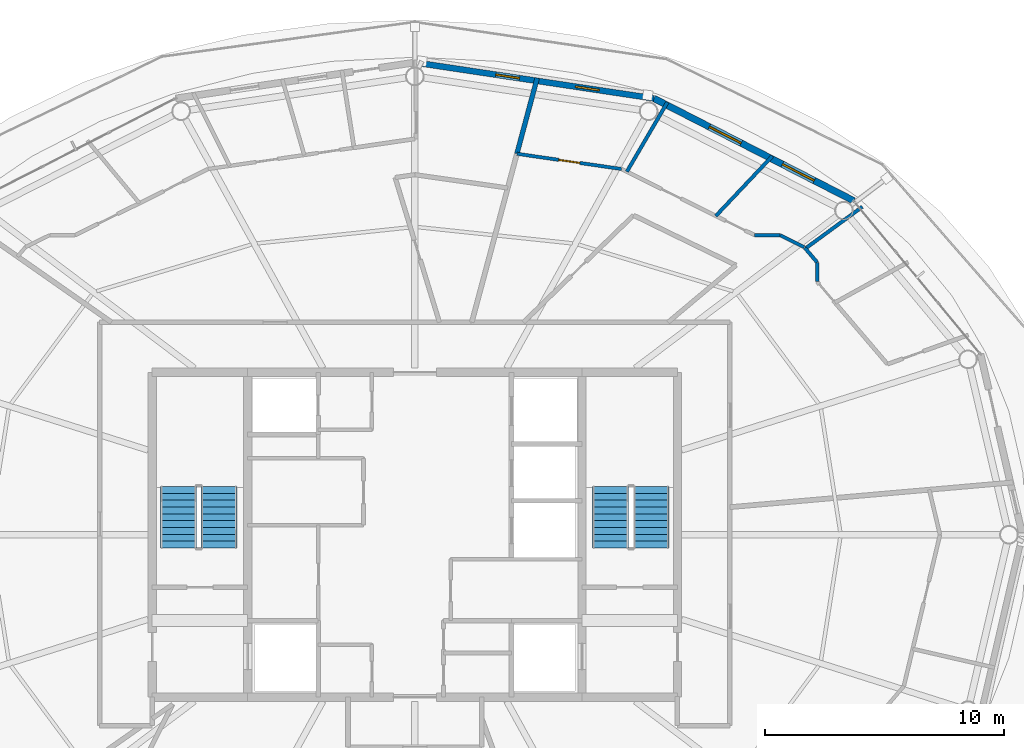
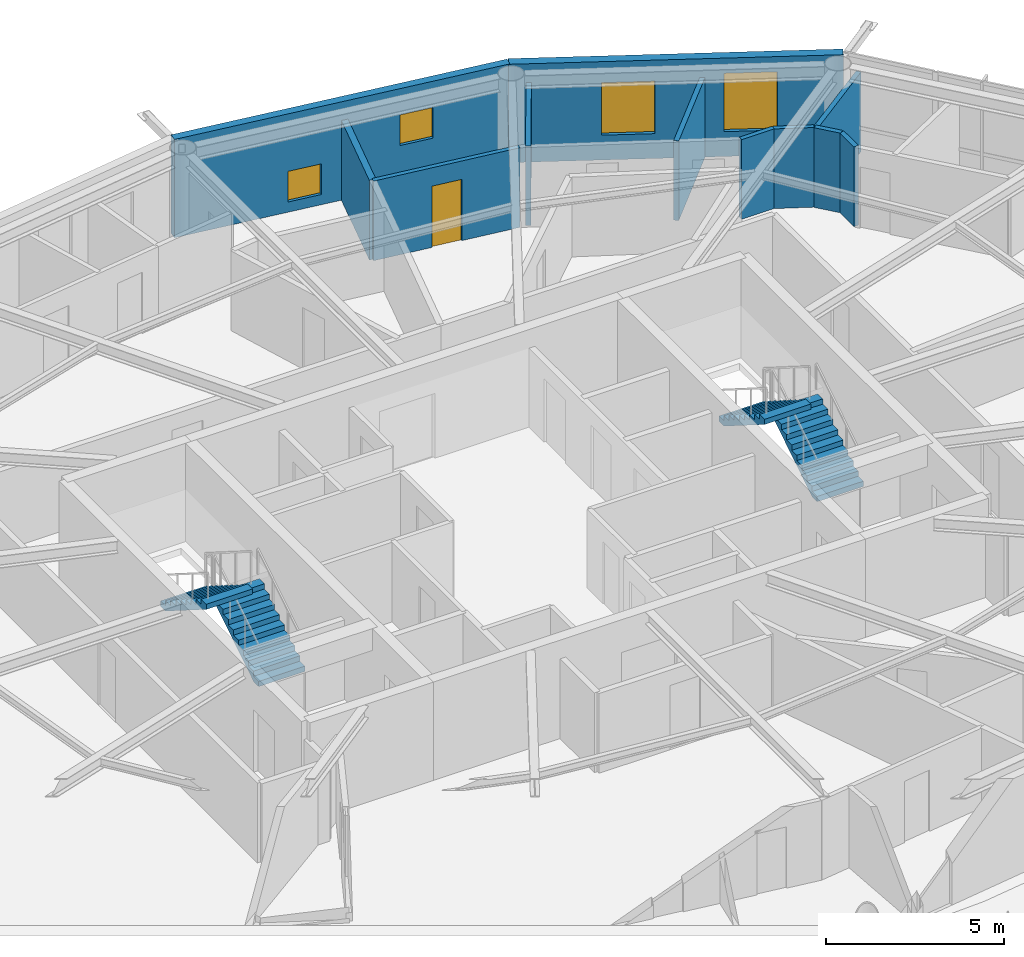
# One storey, part 20 of 23: 11 walls, 4 stair flights, 4 windows, 1 door, 5 openings, 2 elements without a shape of their own.
"""IFC4 building model written with IfcOpenShell, lengths in metres."""

from ifc_helpers import new_model, si_unit, direction, frame, frame_2d, origin, place, context, subcontext, project, spatial, polyline, rectangle, outline, extrude, material, layer, layer_set, type_object, element, fill, aggregate, save


model = new_model("IFC4")

# Units and contexts
model_context = context("Model", 3, precision=1e-05, world=origin(), true_north=direction((0.0, 1.0)))
body_context = subcontext(model_context, "Body", "Model", "MODEL_VIEW")
ifc_project = project(units=[si_unit("LENGTHUNIT", "METRE"), si_unit("AREAUNIT", "SQUARE_METRE"), si_unit("VOLUMEUNIT", "CUBIC_METRE"), si_unit("PLANEANGLEUNIT", "RADIAN"), si_unit("MASSUNIT", "GRAM", prefix="KILO")], contexts=[model_context])

# Site, building, storey
site_placement = place(None, origin())
site = spatial("IfcSite", under=ifc_project, at=site_placement, CompositionType="ELEMENT")
building_placement = place(site_placement, origin())
building = spatial("IfcBuilding", under=site, at=building_placement, Name="Sarneth Arch Tower", CompositionType="ELEMENT")
storey_placement = place(building_placement, frame((0.0, 0.0, 280.199951171875)))
storey = spatial("IfcBuildingStorey", under=building, at=storey_placement, Name="L72", CompositionType="ELEMENT", Elevation=280.199951171875)

# Wall, openings, windows
ifc_material_1 = material(Name="Extruded terracotta rainscreen on Concrete C40/50 backing", Category="masonry")
ifc_layer_1 = layer(ifc_material_1, 0.25)
ifc_layer_set_1 = layer_set([ifc_layer_1], Name="Extruded terracotta rainscreen on Concrete C40/50 backing")
wall_type_1 = type_object("IfcWallType", Name="WALL-EXT-SPAND-250", PredefinedType="SOLIDWALL", material=ifc_layer_set_1)
wall_1_placement = place(storey_placement, frame((58.0126953125, 60.2744140625, 0.0), z_axis=(0.0, 0.0, 1.0), x_axis=(-0.988882522213, 0.148698881169, 0.0)))
wall_1 = element("IfcWall", 1, at=wall_1_placement, inside=storey, type_object=wall_type_1, Name="L72 Terracotta perimeter wall 04", PredefinedType="SOLIDWALL", context=body_context, shape_type="SweptSolid", body=[
    extrude(rectangle(XDim=10.125244140625, YDim=0.25, at=frame_2d((5.0625, 0.0))), origin(), (0.0, 0.0, 1.0), 3.3701171875),
])
opening_1_placement = place(wall_1_placement, frame((2.319580078125, 0.0, 1.419921875)))
opening_1 = element("IfcOpeningElement", 2, at=opening_1_placement, cuts=wall_1, Name="Opening W-14", PredefinedType="OPENING", context=body_context, shape_type="SweptSolid", body=[
    extrude(rectangle(XDim=1.0, YDim=1.050048828125, at=frame_2d((0.5, 0.52490234375))), frame((0.0, 0.135009765625, 0.0), z_axis=(0.0, -1.0, 0.0), x_axis=(1.0, 0.0, 0.0)), (0.0, 0.0, 1.0), 0.27001953125),
])
opening_2_placement = place(wall_1_placement, frame((5.69189453125, 0.0, 0.35009765625)))
opening_2 = element("IfcOpeningElement", 3, at=opening_2_placement, cuts=wall_1, Name="Opening W-14", PredefinedType="OPENING", context=body_context, shape_type="SweptSolid", body=[
    extrude(rectangle(XDim=1.0, YDim=1.050048828125, at=frame_2d((0.5, 0.52490234375))), frame((0.0, 0.135009765625, 0.0), z_axis=(0.0, -1.0, 0.0), x_axis=(1.0, 0.0, 0.0)), (0.0, 0.0, 1.0), 0.27001953125),
])
ifc_material_2 = material(Name="Thermally broken Aluminium 6063-T6 and low-e laminated IGU", Category="aluminium")
window_type_1 = type_object("IfcWindowType", Name="WIN-TWR-1000x1050", PartitioningType="SINGLE_PANEL", PredefinedType="WINDOW", material=ifc_material_2)
window_1_placement = place(opening_1_placement, origin())
window_1 = element("IfcWindow", 4, at=window_1_placement, inside=storey, type_object=window_type_1, Name="L72 Dwelling bedroom window 01", OverallHeight=1.050048828125, OverallWidth=1.0, PartitioningType="SINGLE_PANEL", PredefinedType="WINDOW", context=body_context, shape_type="SweptSolid", body=[
    extrude(rectangle(XDim=1.0, YDim=1.050048828125, at=frame_2d((0.5, 0.52490234375))), frame((0.0, 0.030029296875, 0.0), z_axis=(0.0, -1.0, 0.0), x_axis=(1.0, 0.0, 0.0)), (0.0, 0.0, 1.0), 0.06005859375),
])
fill(opening_1, window_1)
window_2_placement = place(opening_2_placement, origin())
window_2 = element("IfcWindow", 5, at=window_2_placement, inside=storey, type_object=window_type_1, Name="L72 Dwelling bedroom window 02", OverallHeight=1.050048828125, OverallWidth=1.0, PartitioningType="SINGLE_PANEL", PredefinedType="WINDOW", context=body_context, shape_type="SweptSolid", body=[
    extrude(rectangle(XDim=1.0, YDim=1.050048828125, at=frame_2d((0.5, 0.52490234375))), frame((0.0, 0.030029296875, 0.0), z_axis=(0.0, -1.0, 0.0), x_axis=(1.0, 0.0, 0.0)), (0.0, 0.0, 1.0), 0.06005859375),
])
fill(opening_2, window_2)

ifc_material_3 = material(Name="Extruded terracotta rainscreen on Concrete C40/50 backing", Category="masonry")
ifc_layer_2 = layer(ifc_material_3, 0.280029296875)
ifc_layer_set_2 = layer_set([ifc_layer_2], Name="Extruded terracotta rainscreen on Concrete C40/50 backing")
wall_type_2 = type_object("IfcWallType", Name="WALL-EXT-TERRA-280", PredefinedType="SOLIDWALL", material=ifc_layer_set_2)
wall_2_placement = place(storey_placement, frame((66.382568359375, 55.986572265625, 0.0), z_axis=(0.0, 0.0, 1.0), x_axis=(-0.890007394051, 0.455946091699, 0.0)))
wall_2 = element("IfcWall", 6, at=wall_2_placement, inside=storey, type_object=wall_type_2, Name="L72 Terracotta perimeter wall 03", PredefinedType="SOLIDWALL", context=body_context, shape_type="SweptSolid", body=[
    extrude(rectangle(XDim=9.404296875, YDim=0.280029296875, at=frame_2d((4.7021484375, 0.0))), origin(), (0.0, 0.0, 1.0), 3.3701171875),
])
opening_3_placement = place(wall_2_placement, frame((1.856201171875, 0.0, 0.85009765625)))
opening_3 = element("IfcOpeningElement", 7, at=opening_3_placement, cuts=wall_2, Name="Opening W-06", PredefinedType="OPENING", context=body_context, shape_type="SweptSolid", body=[
    extrude(rectangle(XDim=1.5, YDim=2.0, at=frame_2d((0.75, 1.0))), frame((0.0, 0.14990234375, 0.0), z_axis=(0.0, -1.0, 0.0), x_axis=(1.0, 0.0, 0.0)), (0.0, 0.0, 1.0), 0.300048828125),
])
opening_4_placement = place(wall_2_placement, frame((5.297119140625, 0.0, 0.85009765625)))
opening_4 = element("IfcOpeningElement", 8, at=opening_4_placement, cuts=wall_2, Name="Opening W-07", PredefinedType="OPENING", context=body_context, shape_type="SweptSolid", body=[
    extrude(rectangle(XDim=1.5, YDim=1.800048828125, at=frame_2d((0.75, 0.89990234375))), frame((0.0, 0.14990234375, 0.0), z_axis=(0.0, -1.0, 0.0), x_axis=(1.0, 0.0, 0.0)), (0.0, 0.0, 1.0), 0.300048828125),
])
ifc_material_4 = material(Name="Thermally broken Aluminium 6063-T6 and low-e laminated IGU", Category="aluminium")
window_type_2 = type_object("IfcWindowType", Name="WIN-TWR-1500x1800", PartitioningType="SINGLE_PANEL", PredefinedType="WINDOW", material=ifc_material_4)
window_3_placement = place(opening_4_placement, origin())
window_3 = element("IfcWindow", 9, at=window_3_placement, inside=storey, type_object=window_type_2, Name="L72 Exterior window 03B", OverallHeight=1.800048828125, OverallWidth=1.5, PartitioningType="SINGLE_PANEL", PredefinedType="WINDOW", context=body_context, shape_type="SweptSolid", body=[
    extrude(rectangle(XDim=1.5, YDim=1.800048828125, at=frame_2d((0.75, 0.89990234375))), frame((0.0, 0.030029296875, 0.0), z_axis=(0.0, -1.0, 0.0), x_axis=(1.0, 0.0, 0.0)), (0.0, 0.0, 1.0), 0.06005859375),
])
fill(opening_4, window_3)
ifc_material_5 = material(Name="Thermally broken Aluminium 6063-T6 and low-e laminated IGU", Category="aluminium")
window_type_3 = type_object("IfcWindowType", Name="WIN-TWR-1500x2000", PartitioningType="SINGLE_PANEL", PredefinedType="WINDOW", material=ifc_material_5)
window_4_placement = place(opening_3_placement, origin())
window_4 = element("IfcWindow", 10, at=window_4_placement, inside=storey, type_object=window_type_3, Name="L72 Exterior window 03A", OverallHeight=2.0, OverallWidth=1.5, PartitioningType="SINGLE_PANEL", PredefinedType="WINDOW", context=body_context, shape_type="SweptSolid", body=[
    extrude(rectangle(XDim=1.5, YDim=2.0, at=frame_2d((0.75, 1.0))), frame((0.0, 0.030029296875, 0.0), z_axis=(0.0, -1.0, 0.0), x_axis=(1.0, 0.0, 0.0)), (0.0, 0.0, 1.0), 0.06005859375),
])
fill(opening_3, window_4)

# Wall, opening, door
ifc_material_6 = material(Name="Apartment internal stud partition", Category="gypsum")
ifc_layer_3 = layer(ifc_material_6, 0.139892578125)
ifc_layer_set_3 = layer_set([ifc_layer_3], Name="Apartment internal stud partition")
wall_type_3 = type_object("IfcWallType", Name="WALL-PART-140", PredefinedType="PARTITIONING", material=ifc_layer_set_3)
wall_3_placement = place(storey_placement, frame((56.65478515625, 57.31787109375, 0.0), z_axis=(0.0, 0.0, 1.0), x_axis=(-0.989532652843, 0.144309143708, 0.0)))
wall_3 = element("IfcWall", 11, at=wall_3_placement, inside=storey, type_object=wall_type_3, Name="L72 Interior partition W-L72-TP-032", PredefinedType="PARTITIONING", context=body_context, shape_type="SweptSolid", body=[
    extrude(rectangle(XDim=4.42578125, YDim=0.139892578125, at=frame_2d((2.212890625, 0.0))), origin(), (0.0, 0.0, 1.0), 2.72998046875),
])
opening_5_placement = place(wall_3_placement, frame((1.762939453125, 0.0, 0.0)))
opening_5 = element("IfcOpeningElement", 12, at=opening_5_placement, cuts=wall_3, Name="Opening ID-01", PredefinedType="OPENING", context=body_context, shape_type="SweptSolid", body=[
    extrude(rectangle(XDim=0.89990234375, YDim=2.10009765625, at=frame_2d((0.449951171875, 1.050048828125))), frame((0.0, 0.079833984375, 0.0), z_axis=(0.0, -1.0, 0.0), x_axis=(1.0, 0.0, 0.0)), (0.0, 0.0, 1.0), 0.159912109375),
])
ifc_material_7 = material(Name="Engineered hardwood flush door", Category="wood")
door_type = type_object("IfcDoorType", Name="DR-INT-900", OperationType="SINGLE_SWING_LEFT", PredefinedType="DOOR", material=ifc_material_7)
door_placement = place(opening_5_placement, origin())
door = element("IfcDoor", 13, at=door_placement, inside=storey, type_object=door_type, Name="L72 Interior door DR-L72-U1-BED3", OperationType="SINGLE_SWING_LEFT", OverallHeight=2.10009765625, OverallWidth=0.89990234375, PredefinedType="DOOR", context=body_context, shape_type="SweptSolid", body=[
    extrude(rectangle(XDim=0.89990234375, YDim=2.10009765625, at=frame_2d((0.449951171875, 1.050048828125))), frame((0.0, 0.02490234375, 0.0), z_axis=(0.0, -1.0, 0.0), x_axis=(1.0, 0.0, 0.0)), (0.0, 0.0, 1.0), 0.050048828125),
])
fill(opening_5, door)

# Walls
wall_4_placement = place(storey_placement, frame((64.31103515625, 54.0419921875, 0.0), z_axis=(0.0, 0.0, 1.0), x_axis=(-0.895409226325, 0.445244109912, 0.0)))
element("IfcWall", 14, at=wall_4_placement, inside=storey, type_object=wall_type_3, Name="L72 Interior partition W-L72-TP-027", PredefinedType="PARTITIONING", context=body_context, shape_type="SweptSolid", body=[
    extrude(rectangle(XDim=1.14111328125, YDim=0.139892578125, at=frame_2d((0.570556640625, 0.0))), origin(), (0.0, 0.0, 1.0), 2.72998046875),
])
wall_5_placement = place(storey_placement, frame((63.289306640625, 54.550048828125, 0.0), z_axis=(0.0, 0.0, 1.0), x_axis=(-1.0, 0.0, 0.0)))
element("IfcWall", 15, at=wall_5_placement, inside=storey, type_object=wall_type_3, Name="L72 Interior partition W-L72-TP-028", PredefinedType="PARTITIONING", context=body_context, shape_type="SweptSolid", body=[
    extrude(rectangle(XDim=1.0625, YDim=0.139892578125, at=frame_2d((0.53125, 0.0))), origin(), (0.0, 0.0, 1.0), 2.72998046875),
])
ifc_material_8 = material(Name="Acoustic gypsum stud partition", Category="gypsum")
ifc_layer_4 = layer(ifc_material_8, 0.14990234375)
ifc_layer_set_4 = layer_set([ifc_layer_4], Name="Acoustic gypsum stud partition")
wall_type_4 = type_object("IfcWallType", Name="WALL-PART-150", PredefinedType="PARTITIONING", material=ifc_layer_set_4)
wall_6_placement = place(storey_placement, frame((60.608154296875, 55.35400390625, 0.0), z_axis=(0.0, 0.0, 1.0), x_axis=(0.686532055538, 0.727099537009, 0.0)))
element("IfcWall", 16, at=wall_6_placement, inside=storey, type_object=wall_type_4, Name="L72 Interior partition W-L72-TP-039", PredefinedType="PARTITIONING", context=body_context, shape_type="SweptSolid", body=[
    extrude(rectangle(XDim=3.448486328125, YDim=0.14990234375, at=frame_2d((1.72412109375, 0.0))), origin(), (0.0, 0.0, 1.0), 2.72998046875),
])
wall_7_placement = place(storey_placement, frame((58.580810546875, 60.117919921875, 0.0), z_axis=(0.0, 0.0, 1.0), x_axis=(-0.504280622188, -0.863539839316, 0.0)))
element("IfcWall", 17, at=wall_7_placement, inside=storey, type_object=wall_type_4, Name="L72 Interior partition W-L72-TP-040", PredefinedType="PARTITIONING", context=body_context, shape_type="SweptSolid", body=[
    extrude(rectangle(XDim=3.3720703125, YDim=0.14990234375, at=frame_2d((1.68603515625, 0.0))), origin(), (0.0, 0.0, 1.0), 2.72998046875),
])
wall_8_placement = place(storey_placement, frame((66.7451171875, 55.736328125, 0.0), z_axis=(0.0, 0.0, 1.0), x_axis=(-0.806661949914, -0.591013112005, 0.0)))
element("IfcWall", 18, at=wall_8_placement, inside=storey, type_object=wall_type_4, Name="L72 Interior partition W-L72-TP-038", PredefinedType="PARTITIONING", context=body_context, shape_type="SweptSolid", body=[
    extrude(rectangle(XDim=2.95947265625, YDim=0.14990234375, at=frame_2d((1.479736328125, 0.0))), origin(), (0.0, 0.0, 1.0), 2.72998046875),
])
wall_9_placement = place(storey_placement, frame((64.85009765625, 53.410400390625, 0.0), z_axis=(0.0, 0.0, 1.0), x_axis=(0.0, -1.0, 0.0)))
element("IfcWall", 19, at=wall_9_placement, inside=storey, type_object=wall_type_4, Name="L72 Interior partition W-L72-TP-020", PredefinedType="PARTITIONING", context=body_context, shape_type="SweptSolid", body=[
    extrude(rectangle(XDim=0.8115234375, YDim=0.14990234375, at=frame_2d((0.40576171875, 0.0))), origin(), (0.0, 0.0, 1.0), 2.72998046875),
])
wall_10_placement = place(storey_placement, frame((64.337158203125, 54.01171875, 0.0), z_axis=(0.0, 0.0, 1.0), x_axis=(0.648983418766, -0.760802551367, 0.0)))
element("IfcWall", 20, at=wall_10_placement, inside=storey, type_object=wall_type_4, Name="L72 Interior partition W-L72-TP-019", PredefinedType="PARTITIONING", context=body_context, shape_type="SweptSolid", body=[
    extrude(rectangle(XDim=0.790283203125, YDim=0.14990234375, at=frame_2d((0.39501953125, 0.0))), origin(), (0.0, 0.0, 1.0), 2.72998046875),
])
ifc_material_9 = material(Name="Double steel-stud acoustic drywall", Category="steel")
ifc_layer_5 = layer(ifc_material_9, 0.199951171875)
ifc_layer_set_5 = layer_set([ifc_layer_5], Name="Double steel-stud acoustic drywall")
wall_type_5 = type_object("IfcWallType", Name="WALL-UNIT-200", PredefinedType="PARTITIONING", material=ifc_layer_set_5)
wall_11_placement = place(storey_placement, frame((52.275390625, 57.95654296875, 0.0), z_axis=(0.0, 0.0, 1.0), x_axis=(0.258901994846, 0.965903596155, 0.0)))
element("IfcWall", 21, at=wall_11_placement, inside=storey, type_object=wall_type_5, Name="L72 Interior partition W-L72-TP-041", PredefinedType="PARTITIONING", context=body_context, shape_type="SweptSolid", body=[
    extrude(rectangle(XDim=3.285400390625, YDim=0.199951171875, at=frame_2d((1.642578125, 0.0))), origin(), (0.0, 0.0, 1.0), 2.72998046875),
])

# Stair, stair flights
ifc_material_10 = material(Name="Concrete C50/60", Category="concrete")
stair_type = type_object("IfcStairType", Name="STAIR-CORE-RC", PredefinedType="HALF_TURN_STAIR", material=ifc_material_10)
stair_1_placement = place(storey_placement, origin())
stair_1 = element("IfcStair", 22, at=stair_1_placement, inside=storey, type_object=stair_type, Name="L72 Core Exit Stair 1", PredefinedType="HALF_TURN_STAIR")
ifc_material_11 = material(Name="Concrete C50/60", Category="concrete")
stair_flight_type = type_object("IfcStairFlightType", Name="FLIGHT-RC-1500", PredefinedType="STRAIGHT", material=ifc_material_11)
stair_flight_1_placement = place(storey_placement, frame((39.800048828125, 41.449951171875, 0.0), z_axis=(0.0, 0.0, 1.0), x_axis=(0.0, 1.0, 0.0)))
stair_flight_1 = element("IfcStairFlight", 23, at=stair_flight_1_placement, type_object=stair_flight_type, Name="ST-1 flight 1", NumberOfRisers=10, NumberOfTreads=9, PredefinedType="STRAIGHT", RiserHeight=0.18, TreadLength=0.285, context=body_context, shape_type="SweptSolid", body=[
    extrude(outline(polyline([(0.0, 0.0), (0.0, 0.179931640625), (0.284912109375, 0.179931640625), (0.284912109375, 0.360107421875), (0.570068359375, 0.360107421875), (0.570068359375, 0.5400390625), (0.85498046875, 0.5400390625), (0.85498046875, 0.719970703125), (1.139892578125, 0.719970703125), (1.139892578125, 0.89990234375), (1.425048828125, 0.89990234375), (1.425048828125, 1.080078125), (1.7099609375, 1.080078125), (1.7099609375, 1.260009765625), (1.9951171875, 1.260009765625), (1.9951171875, 1.43994140625), (2.280029296875, 1.43994140625), (2.280029296875, 1.6201171875), (2.56494140625, 1.6201171875), (2.56494140625, 1.800048828125), (2.56494140625, 1.442626953125), (0.28076171875, 0.0), (0.0, 0.0)])), frame((0.0, 0.75, 0.0), z_axis=(0.0, -1.0, 0.0), x_axis=(1.0, 0.0, 0.0)), (0.0, 0.0, 1.0), 1.5),
])
stair_flight_2_placement = place(storey_placement, frame((38.10009765625, 44.014892578125, 1.800048828125), z_axis=(0.0, 0.0, 1.0), x_axis=(0.0, -1.0, 0.0)))
stair_flight_2 = element("IfcStairFlight", 24, at=stair_flight_2_placement, type_object=stair_flight_type, Name="ST-1 flight 2", NumberOfRisers=10, NumberOfTreads=9, PredefinedType="STRAIGHT", RiserHeight=0.18, TreadLength=0.285, context=body_context, shape_type="SweptSolid", body=[
    extrude(outline(polyline([(0.0, 0.0), (0.0, 0.179931640625), (0.284912109375, 0.179931640625), (0.284912109375, 0.360107421875), (0.570068359375, 0.360107421875), (0.570068359375, 0.5400390625), (0.85498046875, 0.5400390625), (0.85498046875, 0.719970703125), (1.139892578125, 0.719970703125), (1.139892578125, 0.89990234375), (1.425048828125, 0.89990234375), (1.425048828125, 1.080078125), (1.7099609375, 1.080078125), (1.7099609375, 1.260009765625), (1.9951171875, 1.260009765625), (1.9951171875, 1.43994140625), (2.280029296875, 1.43994140625), (2.280029296875, 1.6201171875), (2.56494140625, 1.6201171875), (2.56494140625, 1.800048828125), (2.56494140625, 1.442626953125), (0.28076171875, 0.0), (0.0, 0.0)])), frame((0.0, 0.75, 0.0), z_axis=(0.0, -1.0, 0.0), x_axis=(1.0, 0.0, 0.0)), (0.0, 0.0, 1.0), 1.5),
])
aggregate(stair_1, [stair_flight_1, stair_flight_2])

stair_2_placement = place(storey_placement, origin())
stair_2 = element("IfcStair", 25, at=stair_2_placement, inside=storey, type_object=stair_type, Name="L72 Core Exit Stair 2", PredefinedType="HALF_TURN_STAIR")
stair_flight_3_placement = place(storey_placement, frame((57.89990234375, 41.449951171875, 0.0), z_axis=(0.0, 0.0, 1.0), x_axis=(0.0, 1.0, 0.0)))
stair_flight_3 = element("IfcStairFlight", 26, at=stair_flight_3_placement, type_object=stair_flight_type, Name="ST-2 flight 1", NumberOfRisers=10, NumberOfTreads=9, PredefinedType="STRAIGHT", RiserHeight=0.18, TreadLength=0.285, context=body_context, shape_type="SweptSolid", body=[
    extrude(outline(polyline([(0.0, 0.0), (0.0, 0.179931640625), (0.284912109375, 0.179931640625), (0.284912109375, 0.360107421875), (0.570068359375, 0.360107421875), (0.570068359375, 0.5400390625), (0.85498046875, 0.5400390625), (0.85498046875, 0.719970703125), (1.139892578125, 0.719970703125), (1.139892578125, 0.89990234375), (1.425048828125, 0.89990234375), (1.425048828125, 1.080078125), (1.7099609375, 1.080078125), (1.7099609375, 1.260009765625), (1.9951171875, 1.260009765625), (1.9951171875, 1.43994140625), (2.280029296875, 1.43994140625), (2.280029296875, 1.6201171875), (2.56494140625, 1.6201171875), (2.56494140625, 1.800048828125), (2.56494140625, 1.442626953125), (0.28076171875, 0.0), (0.0, 0.0)])), frame((0.0, 0.75, 0.0), z_axis=(0.0, -1.0, 0.0), x_axis=(1.0, 0.0, 0.0)), (0.0, 0.0, 1.0), 1.5),
])
stair_flight_4_placement = place(storey_placement, frame((56.199951171875, 44.014892578125, 1.800048828125), z_axis=(0.0, 0.0, 1.0), x_axis=(0.0, -1.0, 0.0)))
stair_flight_4 = element("IfcStairFlight", 27, at=stair_flight_4_placement, type_object=stair_flight_type, Name="ST-2 flight 2", NumberOfRisers=10, NumberOfTreads=9, PredefinedType="STRAIGHT", RiserHeight=0.18, TreadLength=0.285, context=body_context, shape_type="SweptSolid", body=[
    extrude(outline(polyline([(0.0, 0.0), (0.0, 0.179931640625), (0.284912109375, 0.179931640625), (0.284912109375, 0.360107421875), (0.570068359375, 0.360107421875), (0.570068359375, 0.5400390625), (0.85498046875, 0.5400390625), (0.85498046875, 0.719970703125), (1.139892578125, 0.719970703125), (1.139892578125, 0.89990234375), (1.425048828125, 0.89990234375), (1.425048828125, 1.080078125), (1.7099609375, 1.080078125), (1.7099609375, 1.260009765625), (1.9951171875, 1.260009765625), (1.9951171875, 1.43994140625), (2.280029296875, 1.43994140625), (2.280029296875, 1.6201171875), (2.56494140625, 1.6201171875), (2.56494140625, 1.800048828125), (2.56494140625, 1.442626953125), (0.28076171875, 0.0), (0.0, 0.0)])), frame((0.0, 0.75, 0.0), z_axis=(0.0, -1.0, 0.0), x_axis=(1.0, 0.0, 0.0)), (0.0, 0.0, 1.0), 1.5),
])
aggregate(stair_2, [stair_flight_3, stair_flight_4])

save(model, "model.ifc")
